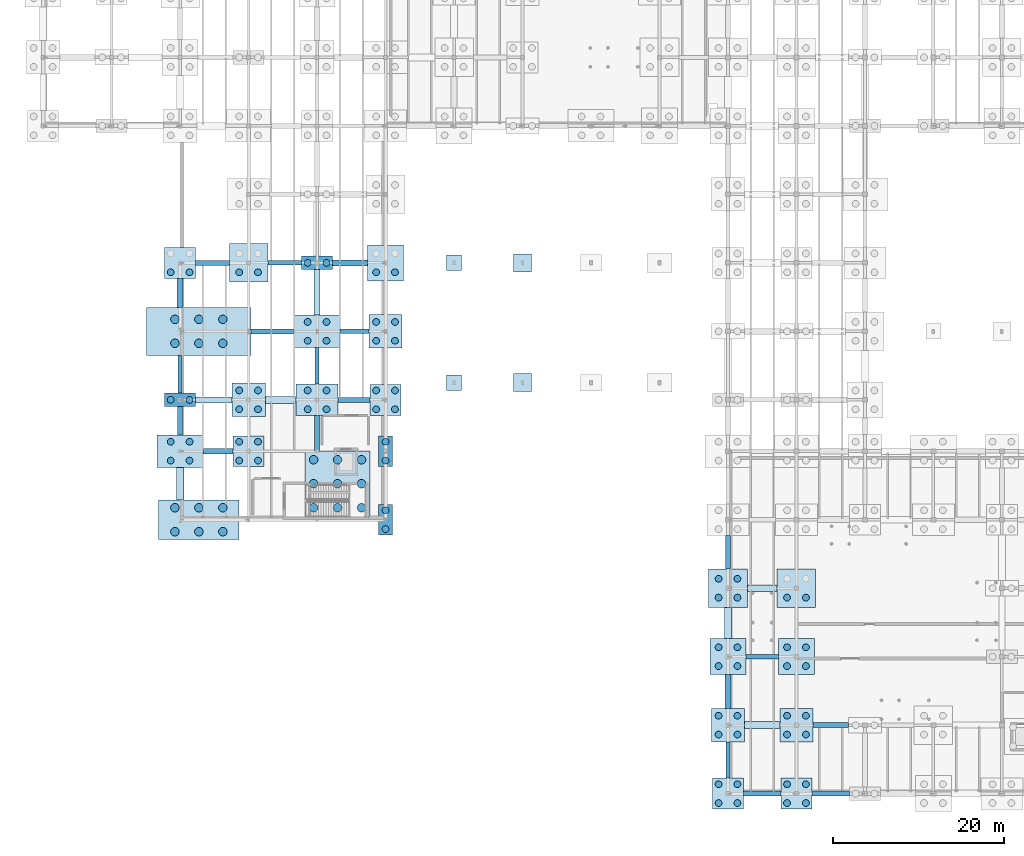
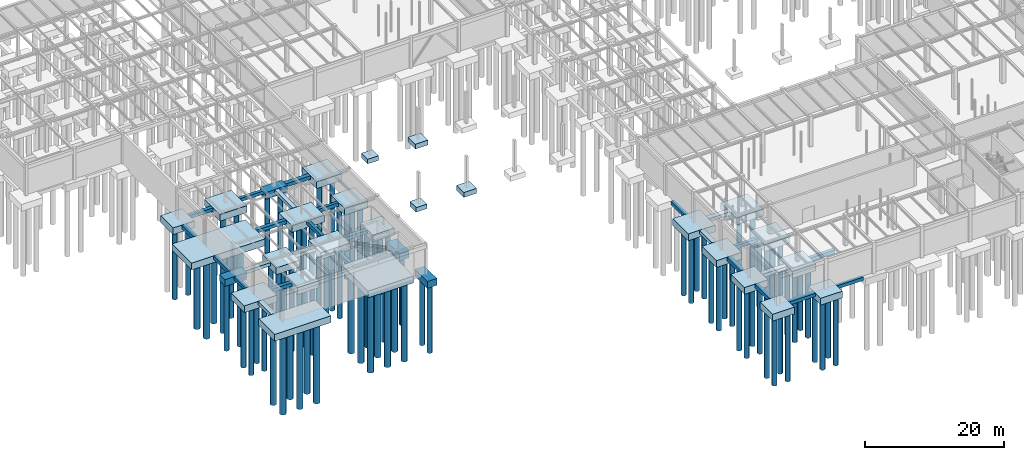
# One storey, part 1 of 71: 93 piles, 55 footings.
"""IFC4 building model written with IfcOpenShell, lengths in metres."""

from ifc_helpers import new_model, si_unit, direction, frame, origin, origin_2d, place, context, subcontext, project, spatial, rectangle, circle, extrude, material, material_profile, profile_set, type_object, element, save


model = new_model("IFC4")

# Units and contexts
model_context = context("Model", 3, precision=1e-05, world=origin(), true_north=direction((0.0, 1.0)))
body_context = subcontext(model_context, "Body", "Model", "MODEL_VIEW")
ifc_project = project(units=[si_unit("LENGTHUNIT", "METRE"), si_unit("AREAUNIT", "SQUARE_METRE"), si_unit("VOLUMEUNIT", "CUBIC_METRE"), si_unit("PLANEANGLEUNIT", "RADIAN"), si_unit("MASSUNIT", "GRAM", prefix="KILO")], contexts=[model_context])

# Site, building, storey
site_placement = place(None, origin())
site = spatial("IfcSite", under=ifc_project, at=site_placement, CompositionType="ELEMENT")
building_placement = place(site_placement, origin())
building = spatial("IfcBuilding", under=site, at=building_placement, Name="Sundkrona Museum", CompositionType="ELEMENT")
storey_placement = place(building_placement, frame((0.0, 0.0, -5.39990234375)))
storey = spatial("IfcBuildingStorey", under=building, at=storey_placement, Name="B1", CompositionType="ELEMENT", Elevation=-5.39990234375)

# Footings
ifc_material = material(Name="Concrete C40/50", Category="concrete")
footing_type_1 = type_object("IfcFootingType", Name="GB-500", PredefinedType="FOOTING_BEAM", material=ifc_material)
footing_1_placement = place(storey_placement, frame((92.0, 0.0, -0.7001953125), z_axis=(0.0, 0.0, 1.0), x_axis=(1.0, 0.0, 0.0)))
element("IfcFooting", 1, at=footing_1_placement, inside=storey, type_object=footing_type_1, Name="Ground Tie Beam GB-X-002", PredefinedType="FOOTING_BEAM", context=body_context, shape_type="SweptSolid", body=[
    extrude(rectangle(XDim=4.39990234375, YDim=0.5, at=origin_2d()), origin(), (0.0, 0.0, 1.0), 0.60009765625),
])
footing_2_placement = place(storey_placement, frame((84.0, 16.0, -0.7001953125), z_axis=(0.0, 0.0, 1.0), x_axis=(1.0, 0.0, 0.0)))
element("IfcFooting", 2, at=footing_2_placement, inside=storey, type_object=footing_type_1, Name="Ground Tie Beam GB-X-022", PredefinedType="FOOTING_BEAM", context=body_context, shape_type="SweptSolid", body=[
    extrude(rectangle(XDim=3.800048828125, YDim=0.5, at=origin_2d()), origin(), (0.0, 0.0, 1.0), 0.60009765625),
])
footing_3_placement = place(storey_placement, frame((36.375, 54.0, -0.7001953125), z_axis=(0.0, 0.0, 1.0), x_axis=(1.0, 0.0, 0.0)))
element("IfcFooting", 3, at=footing_3_placement, inside=storey, type_object=footing_type_1, Name="Ground Tie Beam GB-X-066", PredefinedType="FOOTING_BEAM", context=body_context, shape_type="SweptSolid", body=[
    extrude(rectangle(XDim=3.35009765625, YDim=0.5, at=origin_2d()), origin(), (0.0, 0.0, 1.0), 0.60009765625),
])
footing_4_placement = place(storey_placement, frame((28.22509765625, 62.0, -0.7001953125), z_axis=(0.0, 0.0, 1.0), x_axis=(1.0, 0.0, 0.0)))
element("IfcFooting", 4, at=footing_4_placement, inside=storey, type_object=footing_type_1, Name="Ground Tie Beam GB-X-074", PredefinedType="FOOTING_BEAM", context=body_context, shape_type="SweptSolid", body=[
    extrude(rectangle(XDim=3.949951171875, YDim=0.5, at=origin_2d()), origin(), (0.0, 0.0, 1.0), 0.60009765625),
])
footing_5_placement = place(storey_placement, frame((16.0, 49.0, -0.7001953125), z_axis=(0.0, 0.0, 1.0), x_axis=(0.0, 1.0, 0.0)))
element("IfcFooting", 5, at=footing_5_placement, inside=storey, type_object=footing_type_1, Name="Ground Tie Beam GB-Y-202", PredefinedType="FOOTING_BEAM", context=body_context, shape_type="SweptSolid", body=[
    extrude(rectangle(XDim=4.39990234375, YDim=0.5, at=origin_2d()), origin(), (0.0, 0.0, 1.0), 0.60009765625),
])
for number, where, z_axis, x_axis, name in (
    (6, (32.0, 49.97509765625, -0.7001953125), (0.0, 0.0, 1.0), (0.0, 1.0, 0.0), "Ground Tie Beam GB-Y-210"),
    (7, (80.0, 3.925048828125, -0.7001953125), (0.0, 0.0, 1.0), (0.0, 1.0, 0.0), "Ground Tie Beam GB-Y-226"),
):
    element("IfcFooting", number, at=place(storey_placement, frame(where, z_axis=z_axis, x_axis=x_axis)), inside=storey, type_object=footing_type_1, Name=name, PredefinedType="FOOTING_BEAM", context=body_context, shape_type="SweptSolid", body=[
        extrude(rectangle(XDim=4.25, YDim=0.5, at=origin_2d()), origin(), (0.0, 0.0, 1.0), 0.60009765625),
    ])
footing_type_2 = type_object("IfcFootingType", Name="GB-600", PredefinedType="FOOTING_BEAM", material=ifc_material)
footing_6_placement = place(storey_placement, frame((84.0, 0.0, -0.7001953125), z_axis=(0.0, 0.0, 1.0), x_axis=(1.0, 0.0, 0.0)))
element("IfcFooting", 8, at=footing_6_placement, inside=storey, type_object=footing_type_2, Name="Ground Tie Beam GB-X-001", PredefinedType="FOOTING_BEAM", context=body_context, shape_type="SweptSolid", body=[
    extrude(rectangle(XDim=4.39990234375, YDim=0.60009765625, at=origin_2d()), origin(), (0.0, 0.0, 1.0), 0.60009765625),
])
footing_7_placement = place(storey_placement, frame((92.0, 8.0, -0.7001953125), z_axis=(0.0, 0.0, 1.0), x_axis=(1.0, 0.0, 0.0)))
element("IfcFooting", 9, at=footing_7_placement, inside=storey, type_object=footing_type_2, Name="Ground Tie Beam GB-X-013", PredefinedType="FOOTING_BEAM", context=body_context, shape_type="SweptSolid", body=[
    extrude(rectangle(XDim=4.10009765625, YDim=0.60009765625, at=origin_2d()), origin(), (0.0, 0.0, 1.0), 0.60009765625),
])
footing_8_placement = place(storey_placement, frame((20.449951171875, 40.0, -0.7001953125), z_axis=(0.0, 0.0, 1.0), x_axis=(1.0, 0.0, 0.0)))
element("IfcFooting", 10, at=footing_8_placement, inside=storey, type_object=footing_type_2, Name="Ground Tie Beam GB-X-045", PredefinedType="FOOTING_BEAM", context=body_context, shape_type="SweptSolid", body=[
    extrude(rectangle(XDim=3.5, YDim=0.60009765625, at=origin_2d()), origin(), (0.0, 0.0, 1.0), 0.60009765625),
])
footing_9_placement = place(storey_placement, frame((36.324951171875, 46.0, -0.7001953125), z_axis=(0.0, 0.0, 1.0), x_axis=(1.0, 0.0, 0.0)))
element("IfcFooting", 11, at=footing_9_placement, inside=storey, type_object=footing_type_2, Name="Ground Tie Beam GB-X-057", PredefinedType="FOOTING_BEAM", context=body_context, shape_type="SweptSolid", body=[
    extrude(rectangle(XDim=3.75, YDim=0.60009765625, at=origin_2d()), origin(), (0.0, 0.0, 1.0), 0.60009765625),
])
footing_10_placement = place(storey_placement, frame((26.800048828125, 54.0, -0.7001953125), z_axis=(0.0, 0.0, 1.0), x_axis=(1.0, 0.0, 0.0)))
element("IfcFooting", 12, at=footing_10_placement, inside=storey, type_object=footing_type_2, Name="Ground Tie Beam GB-X-065", PredefinedType="FOOTING_BEAM", context=body_context, shape_type="SweptSolid", body=[
    extrude(rectangle(XDim=5.0, YDim=0.60009765625, at=origin_2d()), origin(), (0.0, 0.0, 1.0), 0.60009765625),
])
footing_11_placement = place(storey_placement, frame((19.77490234375, 62.0, -0.7001953125), z_axis=(0.0, 0.0, 1.0), x_axis=(1.0, 0.0, 0.0)))
element("IfcFooting", 13, at=footing_11_placement, inside=storey, type_object=footing_type_2, Name="Ground Tie Beam GB-X-073", PredefinedType="FOOTING_BEAM", context=body_context, shape_type="SweptSolid", body=[
    extrude(rectangle(XDim=3.949951171875, YDim=0.60009765625, at=origin_2d()), origin(), (0.0, 0.0, 1.0), 0.60009765625),
])
footing_12_placement = place(storey_placement, frame((16.0, 43.550048828125, -0.7001953125), z_axis=(0.0, 0.0, 1.0), x_axis=(0.0, 1.0, 0.0)))
element("IfcFooting", 14, at=footing_12_placement, inside=storey, type_object=footing_type_2, Name="Ground Tie Beam GB-Y-201", PredefinedType="FOOTING_BEAM", context=body_context, shape_type="SweptSolid", body=[
    extrude(rectangle(XDim=3.300048828125, YDim=0.60009765625, at=origin_2d()), origin(), (0.0, 0.0, 1.0), 0.60009765625),
])
footing_13_placement = place(storey_placement, frame((32.0, 42.074951171875, -0.7001953125), z_axis=(0.0, 0.0, 1.0), x_axis=(0.0, 1.0, 0.0)))
element("IfcFooting", 15, at=footing_13_placement, inside=storey, type_object=footing_type_2, Name="Ground Tie Beam GB-Y-209", PredefinedType="FOOTING_BEAM", context=body_context, shape_type="SweptSolid", body=[
    extrude(rectangle(XDim=4.14990234375, YDim=0.60009765625, at=origin_2d()), origin(), (0.0, 0.0, 1.0), 0.60009765625),
])
footing_14_placement = place(storey_placement, frame((80.0, 28.199951171875, -0.7001953125), z_axis=(0.0, 0.0, 1.0), x_axis=(0.0, 1.0, 0.0)))
element("IfcFooting", 16, at=footing_14_placement, inside=storey, type_object=footing_type_2, Name="Ground Tie Beam GB-Y-229", PredefinedType="FOOTING_BEAM", context=body_context, shape_type="SweptSolid", body=[
    extrude(rectangle(XDim=3.89990234375, YDim=0.60009765625, at=origin_2d()), origin(), (0.0, 0.0, 1.0), 0.60009765625),
])
footing_type_3 = type_object("IfcFootingType", Name="GB-700", PredefinedType="FOOTING_BEAM", material=ifc_material)
footing_15_placement = place(storey_placement, frame((19.925048828125, 46.0, -0.7001953125), z_axis=(0.0, 0.0, 1.0), x_axis=(1.0, 0.0, 0.0)))
element("IfcFooting", 17, at=footing_15_placement, inside=storey, type_object=footing_type_3, Name="Ground Tie Beam GB-X-055", PredefinedType="FOOTING_BEAM", context=body_context, shape_type="SweptSolid", body=[
    extrude(rectangle(XDim=4.25, YDim=0.699951171875, at=origin_2d()), origin(), (0.0, 0.0, 1.0), 0.60009765625),
])
footing_16_placement = place(storey_placement, frame((35.85009765625, 62.0, -0.7001953125), z_axis=(0.0, 0.0, 1.0), x_axis=(1.0, 0.0, 0.0)))
element("IfcFooting", 18, at=footing_16_placement, inside=storey, type_object=footing_type_3, Name="Ground Tie Beam GB-X-075", PredefinedType="FOOTING_BEAM", context=body_context, shape_type="SweptSolid", body=[
    extrude(rectangle(XDim=4.10009765625, YDim=0.699951171875, at=origin_2d()), origin(), (0.0, 0.0, 1.0), 0.60009765625),
])
footing_17_placement = place(storey_placement, frame((16.0, 58.5, -0.7001953125), z_axis=(0.0, 0.0, 1.0), x_axis=(0.0, 1.0, 0.0)))
element("IfcFooting", 19, at=footing_17_placement, inside=storey, type_object=footing_type_3, Name="Ground Tie Beam GB-Y-203", PredefinedType="FOOTING_BEAM", context=body_context, shape_type="SweptSolid", body=[
    extrude(rectangle(XDim=3.39990234375, YDim=0.699951171875, at=origin_2d()), origin(), (0.0, 0.0, 1.0), 0.60009765625),
])
footing_18_placement = place(storey_placement, frame((32.0, 58.550048828125, -0.7001953125), z_axis=(0.0, 0.0, 1.0), x_axis=(0.0, 1.0, 0.0)))
element("IfcFooting", 20, at=footing_18_placement, inside=storey, type_object=footing_type_3, Name="Ground Tie Beam GB-Y-211", PredefinedType="FOOTING_BEAM", context=body_context, shape_type="SweptSolid", body=[
    extrude(rectangle(XDim=5.300048828125, YDim=0.699951171875, at=origin_2d()), origin(), (0.0, 0.0, 1.0), 0.60009765625),
])
footing_19_placement = place(storey_placement, frame((80.0, 11.925048828125, -0.7001953125), z_axis=(0.0, 0.0, 1.0), x_axis=(0.0, 1.0, 0.0)))
element("IfcFooting", 21, at=footing_19_placement, inside=storey, type_object=footing_type_3, Name="Ground Tie Beam GB-Y-227", PredefinedType="FOOTING_BEAM", context=body_context, shape_type="SweptSolid", body=[
    extrude(rectangle(XDim=3.949951171875, YDim=0.699951171875, at=origin_2d()), origin(), (0.0, 0.0, 1.0), 0.60009765625),
])
footing_type_4 = type_object("IfcFootingType", Name="GB-800", PredefinedType="FOOTING_BEAM", material=ifc_material)
footing_20_placement = place(storey_placement, frame((84.0, 8.0, -0.7001953125), z_axis=(0.0, 0.0, 1.0), x_axis=(1.0, 0.0, 0.0)))
element("IfcFooting", 22, at=footing_20_placement, inside=storey, type_object=footing_type_4, Name="Ground Tie Beam GB-X-012", PredefinedType="FOOTING_BEAM", context=body_context, shape_type="SweptSolid", body=[
    extrude(rectangle(XDim=4.10009765625, YDim=0.800048828125, at=origin_2d()), origin(), (0.0, 0.0, 1.0), 0.60009765625),
])
footing_21_placement = place(storey_placement, frame((84.0, 24.0, -0.7001953125), z_axis=(0.0, 0.0, 1.0), x_axis=(1.0, 0.0, 0.0)))
element("IfcFooting", 23, at=footing_21_placement, inside=storey, type_object=footing_type_4, Name="Ground Tie Beam GB-X-028", PredefinedType="FOOTING_BEAM", context=body_context, shape_type="SweptSolid", body=[
    extrude(rectangle(XDim=3.5, YDim=0.800048828125, at=origin_2d()), origin(), (0.0, 0.0, 1.0), 0.60009765625),
])
footing_22_placement = place(storey_placement, frame((27.75, 46.0, -0.7001953125), z_axis=(0.0, 0.0, 1.0), x_axis=(1.0, 0.0, 0.0)))
element("IfcFooting", 24, at=footing_22_placement, inside=storey, type_object=footing_type_4, Name="Ground Tie Beam GB-X-056", PredefinedType="FOOTING_BEAM", context=body_context, shape_type="SweptSolid", body=[
    extrude(rectangle(XDim=3.60009765625, YDim=0.800048828125, at=origin_2d()), origin(), (0.0, 0.0, 1.0), 0.60009765625),
])
footing_23_placement = place(storey_placement, frame((16.0, 36.199951171875, -0.7001953125), z_axis=(0.0, 0.0, 1.0), x_axis=(0.0, 1.0, 0.0)))
element("IfcFooting", 25, at=footing_23_placement, inside=storey, type_object=footing_type_4, Name="Ground Tie Beam GB-Y-200", PredefinedType="FOOTING_BEAM", context=body_context, shape_type="SweptSolid", body=[
    extrude(rectangle(XDim=3.800048828125, YDim=0.800048828125, at=origin_2d()), origin(), (0.0, 0.0, 1.0), 0.60009765625),
])
footing_24_placement = place(storey_placement, frame((80.0, 19.925048828125, -0.7001953125), z_axis=(0.0, 0.0, 1.0), x_axis=(0.0, 1.0, 0.0)))
element("IfcFooting", 26, at=footing_24_placement, inside=storey, type_object=footing_type_4, Name="Ground Tie Beam GB-Y-228", PredefinedType="FOOTING_BEAM", context=body_context, shape_type="SweptSolid", body=[
    extrude(rectangle(XDim=3.64990234375, YDim=0.800048828125, at=origin_2d()), origin(), (0.0, 0.0, 1.0), 0.60009765625),
])

# Piles
ifc_material_profile_1 = material_profile(ifc_material, circle(Radius=0.5, at=origin_2d()), Name="PILE D1000")
ifc_profile_set_1 = profile_set([ifc_material_profile_1], Name="Concrete C40/50")
pile_type_1 = type_object("IfcPileType", Name="P-1000", PredefinedType="BORED", material=ifc_profile_set_1)
for number, where, z_axis, x_axis, name in (
    (27, (31.60009765625, 33.39990234375, -1.150146484375), (0.0, 0.0, -1.0), (1.0, 0.0, 0.0), "Bored Pile FC-CORE4A-P01"),
    (28, (34.39990234375, 33.39990234375, -1.150146484375), (0.0, 0.0, -1.0), (1.0, 0.0, 0.0), "Bored Pile FC-CORE4A-P02"),
    (29, (37.199951171875, 33.39990234375, -1.150146484375), (0.0, 0.0, -1.0), (1.0, 0.0, 0.0), "Bored Pile FC-CORE4A-P03"),
    (30, (31.60009765625, 36.199951171875, -1.150146484375), (0.0, 0.0, -1.0), (1.0, 0.0, 0.0), "Bored Pile FC-CORE4A-P04"),
    (31, (34.39990234375, 36.199951171875, -1.150146484375), (0.0, 0.0, -1.0), (1.0, 0.0, 0.0), "Bored Pile FC-CORE4A-P05"),
    (32, (37.199951171875, 36.199951171875, -1.150146484375), (0.0, 0.0, -1.0), (1.0, 0.0, 0.0), "Bored Pile FC-CORE4A-P06"),
    (33, (31.60009765625, 39.0, -1.150146484375), (0.0, 0.0, -1.0), (1.0, 0.0, 0.0), "Bored Pile FC-CORE4A-P07"),
    (34, (34.39990234375, 39.0, -1.150146484375), (0.0, 0.0, -1.0), (1.0, 0.0, 0.0), "Bored Pile FC-CORE4A-P08"),
    (35, (37.199951171875, 39.0, -1.150146484375), (0.0, 0.0, -1.0), (1.0, 0.0, 0.0), "Bored Pile FC-CORE4A-P09"),
    (36, (15.39990234375, 30.60009765625, -1.150146484375), (0.0, 0.0, -1.0), (1.0, 0.0, 0.0), "Bored Pile FC-TR-S-P01"),
    (37, (18.199951171875, 30.60009765625, -1.150146484375), (0.0, 0.0, -1.0), (1.0, 0.0, 0.0), "Bored Pile FC-TR-S-P02"),
    (38, (21.0, 30.60009765625, -1.150146484375), (0.0, 0.0, -1.0), (1.0, 0.0, 0.0), "Bored Pile FC-TR-S-P03"),
    (39, (15.39990234375, 33.39990234375, -1.150146484375), (0.0, 0.0, -1.0), (1.0, 0.0, 0.0), "Bored Pile FC-TR-S-P04"),
    (40, (18.199951171875, 33.39990234375, -1.150146484375), (0.0, 0.0, -1.0), (1.0, 0.0, 0.0), "Bored Pile FC-TR-S-P05"),
    (41, (21.0, 33.39990234375, -1.150146484375), (0.0, 0.0, -1.0), (1.0, 0.0, 0.0), "Bored Pile FC-TR-S-P06"),
    (42, (15.39990234375, 52.60009765625, -1.150146484375), (0.0, 0.0, -1.0), (1.0, 0.0, 0.0), "Bored Pile FC-TR-N-P01"),
    (43, (18.199951171875, 52.60009765625, -1.150146484375), (0.0, 0.0, -1.0), (1.0, 0.0, 0.0), "Bored Pile FC-TR-N-P02"),
    (44, (21.0, 52.60009765625, -1.150146484375), (0.0, 0.0, -1.0), (1.0, 0.0, 0.0), "Bored Pile FC-TR-N-P03"),
    (45, (15.39990234375, 55.39990234375, -1.150146484375), (0.0, 0.0, -1.0), (1.0, 0.0, 0.0), "Bored Pile FC-TR-N-P04"),
    (46, (18.199951171875, 55.39990234375, -1.150146484375), (0.0, 0.0, -1.0), (1.0, 0.0, 0.0), "Bored Pile FC-TR-N-P05"),
    (47, (21.0, 55.39990234375, -1.150146484375), (0.0, 0.0, -1.0), (1.0, 0.0, 0.0), "Bored Pile FC-TR-N-P06"),
):
    element("IfcPile", number, at=place(storey_placement, frame(where, z_axis=z_axis, x_axis=x_axis)), inside=storey, type_object=pile_type_1, Name=name, PredefinedType="BORED", context=body_context, shape_type="SweptSolid", body=[
        extrude(circle(Radius=0.5, at=origin_2d()), origin(), (0.0, 0.0, 1.0), 14.0),
    ])
ifc_material_profile_2 = material_profile(ifc_material, circle(Radius=0.39990234375, at=origin_2d()), Name="PILE D800")
ifc_profile_set_2 = profile_set([ifc_material_profile_2], Name="Concrete C40/50")
pile_type_2 = type_object("IfcPileType", Name="P-800", PredefinedType="BORED", material=ifc_profile_set_2)
for number, where, z_axis, x_axis, name in (
    (48, (14.89990234375, 38.89990234375, -1.150146484375), (0.0, 0.0, -1.0), (1.0, 0.0, 0.0), "Bored Pile FC-F-3-P01"),
    (49, (17.10009765625, 38.89990234375, -1.150146484375), (0.0, 0.0, -1.0), (1.0, 0.0, 0.0), "Bored Pile FC-F-3-P02"),
    (50, (14.89990234375, 41.10009765625, -1.150146484375), (0.0, 0.0, -1.0), (1.0, 0.0, 0.0), "Bored Pile FC-F-3-P03"),
    (51, (17.10009765625, 41.10009765625, -1.150146484375), (0.0, 0.0, -1.0), (1.0, 0.0, 0.0), "Bored Pile FC-F-3-P04"),
    (52, (14.89990234375, 46.0, -1.150146484375), (0.0, 0.0, -1.0), (1.0, 0.0, 0.0), "Bored Pile FC-G-3-P01"),
    (53, (17.10009765625, 46.0, -1.150146484375), (0.0, 0.0, -1.0), (1.0, 0.0, 0.0), "Bored Pile FC-G-3-P02"),
    (54, (14.89990234375, 60.89990234375, -1.150146484375), (0.0, 0.0, -1.0), (1.0, 0.0, 0.0), "Bored Pile FC-J-3-P01"),
    (55, (17.10009765625, 60.89990234375, -1.150146484375), (0.0, 0.0, -1.0), (1.0, 0.0, 0.0), "Bored Pile FC-J-3-P02"),
    (56, (22.89990234375, 38.89990234375, -1.150146484375), (0.0, 0.0, -1.0), (1.0, 0.0, 0.0), "Bored Pile FC-F-4-P01"),
    (57, (25.10009765625, 38.89990234375, -1.150146484375), (0.0, 0.0, -1.0), (1.0, 0.0, 0.0), "Bored Pile FC-F-4-P02"),
    (58, (22.89990234375, 41.10009765625, -1.150146484375), (0.0, 0.0, -1.0), (1.0, 0.0, 0.0), "Bored Pile FC-F-4-P03"),
    (59, (25.10009765625, 41.10009765625, -1.150146484375), (0.0, 0.0, -1.0), (1.0, 0.0, 0.0), "Bored Pile FC-F-4-P04"),
    (60, (22.89990234375, 44.89990234375, -1.150146484375), (0.0, 0.0, -1.0), (1.0, 0.0, 0.0), "Bored Pile FC-G-4-P01"),
    (61, (25.10009765625, 44.89990234375, -1.150146484375), (0.0, 0.0, -1.0), (1.0, 0.0, 0.0), "Bored Pile FC-G-4-P02"),
    (62, (22.89990234375, 47.10009765625, -1.150146484375), (0.0, 0.0, -1.0), (1.0, 0.0, 0.0), "Bored Pile FC-G-4-P03"),
    (63, (25.10009765625, 47.10009765625, -1.150146484375), (0.0, 0.0, -1.0), (1.0, 0.0, 0.0), "Bored Pile FC-G-4-P04"),
    (64, (22.89990234375, 60.89990234375, -1.150146484375), (0.0, 0.0, -1.0), (1.0, 0.0, 0.0), "Bored Pile FC-J-4-P01"),
    (65, (25.10009765625, 60.89990234375, -1.150146484375), (0.0, 0.0, -1.0), (1.0, 0.0, 0.0), "Bored Pile FC-J-4-P02"),
    (66, (30.89990234375, 44.89990234375, -1.150146484375), (0.0, 0.0, -1.0), (1.0, 0.0, 0.0), "Bored Pile FC-G-5-P01"),
    (67, (33.10009765625, 44.89990234375, -1.150146484375), (0.0, 0.0, -1.0), (1.0, 0.0, 0.0), "Bored Pile FC-G-5-P02"),
    (68, (30.89990234375, 47.10009765625, -1.150146484375), (0.0, 0.0, -1.0), (1.0, 0.0, 0.0), "Bored Pile FC-G-5-P03"),
    (69, (33.10009765625, 47.10009765625, -1.150146484375), (0.0, 0.0, -1.0), (1.0, 0.0, 0.0), "Bored Pile FC-G-5-P04"),
    (70, (30.89990234375, 52.89990234375, -1.150146484375), (0.0, 0.0, -1.0), (1.0, 0.0, 0.0), "Bored Pile FC-H-5-P01"),
    (71, (33.10009765625, 52.89990234375, -1.150146484375), (0.0, 0.0, -1.0), (1.0, 0.0, 0.0), "Bored Pile FC-H-5-P02"),
    (72, (30.89990234375, 55.10009765625, -1.150146484375), (0.0, 0.0, -1.0), (1.0, 0.0, 0.0), "Bored Pile FC-H-5-P03"),
    (73, (33.10009765625, 55.10009765625, -1.150146484375), (0.0, 0.0, -1.0), (1.0, 0.0, 0.0), "Bored Pile FC-H-5-P04"),
    (74, (30.89990234375, 62.0, -1.150146484375), (0.0, 0.0, -1.0), (1.0, 0.0, 0.0), "Bored Pile FC-J-5-P01"),
    (75, (33.10009765625, 62.0, -1.150146484375), (0.0, 0.0, -1.0), (1.0, 0.0, 0.0), "Bored Pile FC-J-5-P02"),
    (76, (40.0, 30.89990234375, -1.150146484375), (0.0, 0.0, -1.0), (1.0, 0.0, 0.0), "Bored Pile FC-E-6-P01"),
    (77, (40.0, 33.10009765625, -1.150146484375), (0.0, 0.0, -1.0), (1.0, 0.0, 0.0), "Bored Pile FC-E-6-P02"),
    (78, (40.0, 38.89990234375, -1.150146484375), (0.0, 0.0, -1.0), (1.0, 0.0, 0.0), "Bored Pile FC-F-6-P01"),
    (79, (40.0, 41.10009765625, -1.150146484375), (0.0, 0.0, -1.0), (1.0, 0.0, 0.0), "Bored Pile FC-F-6-P02"),
    (80, (38.89990234375, 44.89990234375, -1.150146484375), (0.0, 0.0, -1.0), (1.0, 0.0, 0.0), "Bored Pile FC-G-6-P01"),
    (81, (41.10009765625, 44.89990234375, -1.150146484375), (0.0, 0.0, -1.0), (1.0, 0.0, 0.0), "Bored Pile FC-G-6-P02"),
    (82, (38.89990234375, 47.10009765625, -1.150146484375), (0.0, 0.0, -1.0), (1.0, 0.0, 0.0), "Bored Pile FC-G-6-P03"),
    (83, (41.10009765625, 47.10009765625, -1.150146484375), (0.0, 0.0, -1.0), (1.0, 0.0, 0.0), "Bored Pile FC-G-6-P04"),
    (84, (38.89990234375, 52.89990234375, -1.150146484375), (0.0, 0.0, -1.0), (1.0, 0.0, 0.0), "Bored Pile FC-H-6-P01"),
    (85, (41.10009765625, 52.89990234375, -1.150146484375), (0.0, 0.0, -1.0), (1.0, 0.0, 0.0), "Bored Pile FC-H-6-P02"),
    (86, (38.89990234375, 55.10009765625, -1.150146484375), (0.0, 0.0, -1.0), (1.0, 0.0, 0.0), "Bored Pile FC-H-6-P03"),
    (87, (41.10009765625, 55.10009765625, -1.150146484375), (0.0, 0.0, -1.0), (1.0, 0.0, 0.0), "Bored Pile FC-H-6-P04"),
    (88, (38.89990234375, 60.89990234375, -1.150146484375), (0.0, 0.0, -1.0), (1.0, 0.0, 0.0), "Bored Pile FC-J-6-P01"),
    (89, (41.10009765625, 60.89990234375, -1.150146484375), (0.0, 0.0, -1.0), (1.0, 0.0, 0.0), "Bored Pile FC-J-6-P02"),
    (90, (78.89990234375, -1.10009765625, -1.150146484375), (0.0, 0.0, -1.0), (1.0, 0.0, 0.0), "Bored Pile FC-A-11-P01"),
    (91, (81.10009765625, -1.10009765625, -1.150146484375), (0.0, 0.0, -1.0), (1.0, 0.0, 0.0), "Bored Pile FC-A-11-P02"),
    (92, (78.89990234375, 1.10009765625, -1.150146484375), (0.0, 0.0, -1.0), (1.0, 0.0, 0.0), "Bored Pile FC-A-11-P03"),
    (93, (81.10009765625, 1.10009765625, -1.150146484375), (0.0, 0.0, -1.0), (1.0, 0.0, 0.0), "Bored Pile FC-A-11-P04"),
    (94, (78.89990234375, 6.89990234375, -1.150146484375), (0.0, 0.0, -1.0), (1.0, 0.0, 0.0), "Bored Pile FC-B-11-P01"),
    (95, (81.10009765625, 6.89990234375, -1.150146484375), (0.0, 0.0, -1.0), (1.0, 0.0, 0.0), "Bored Pile FC-B-11-P02"),
    (96, (78.89990234375, 9.10009765625, -1.150146484375), (0.0, 0.0, -1.0), (1.0, 0.0, 0.0), "Bored Pile FC-B-11-P03"),
    (97, (81.10009765625, 9.10009765625, -1.150146484375), (0.0, 0.0, -1.0), (1.0, 0.0, 0.0), "Bored Pile FC-B-11-P04"),
    (98, (78.89990234375, 14.89990234375, -1.150146484375), (0.0, 0.0, -1.0), (1.0, 0.0, 0.0), "Bored Pile FC-C-11-P01"),
    (99, (81.10009765625, 14.89990234375, -1.150146484375), (0.0, 0.0, -1.0), (1.0, 0.0, 0.0), "Bored Pile FC-C-11-P02"),
    (100, (78.89990234375, 17.10009765625, -1.150146484375), (0.0, 0.0, -1.0), (1.0, 0.0, 0.0), "Bored Pile FC-C-11-P03"),
    (101, (81.10009765625, 17.10009765625, -1.150146484375), (0.0, 0.0, -1.0), (1.0, 0.0, 0.0), "Bored Pile FC-C-11-P04"),
    (102, (78.89990234375, 22.89990234375, -1.150146484375), (0.0, 0.0, -1.0), (1.0, 0.0, 0.0), "Bored Pile FC-D-11-P01"),
    (103, (81.10009765625, 22.89990234375, -1.150146484375), (0.0, 0.0, -1.0), (1.0, 0.0, 0.0), "Bored Pile FC-D-11-P02"),
    (104, (78.89990234375, 25.10009765625, -1.150146484375), (0.0, 0.0, -1.0), (1.0, 0.0, 0.0), "Bored Pile FC-D-11-P03"),
    (105, (81.10009765625, 25.10009765625, -1.150146484375), (0.0, 0.0, -1.0), (1.0, 0.0, 0.0), "Bored Pile FC-D-11-P04"),
    (106, (86.89990234375, -1.10009765625, -1.150146484375), (0.0, 0.0, -1.0), (1.0, 0.0, 0.0), "Bored Pile FC-A-12-P01"),
    (107, (89.10009765625, -1.10009765625, -1.150146484375), (0.0, 0.0, -1.0), (1.0, 0.0, 0.0), "Bored Pile FC-A-12-P02"),
    (108, (86.89990234375, 1.10009765625, -1.150146484375), (0.0, 0.0, -1.0), (1.0, 0.0, 0.0), "Bored Pile FC-A-12-P03"),
    (109, (89.10009765625, 1.10009765625, -1.150146484375), (0.0, 0.0, -1.0), (1.0, 0.0, 0.0), "Bored Pile FC-A-12-P04"),
    (110, (86.89990234375, 6.89990234375, -1.150146484375), (0.0, 0.0, -1.0), (1.0, 0.0, 0.0), "Bored Pile FC-B-12-P01"),
    (111, (89.10009765625, 6.89990234375, -1.150146484375), (0.0, 0.0, -1.0), (1.0, 0.0, 0.0), "Bored Pile FC-B-12-P02"),
    (112, (86.89990234375, 9.10009765625, -1.150146484375), (0.0, 0.0, -1.0), (1.0, 0.0, 0.0), "Bored Pile FC-B-12-P03"),
    (113, (89.10009765625, 9.10009765625, -1.150146484375), (0.0, 0.0, -1.0), (1.0, 0.0, 0.0), "Bored Pile FC-B-12-P04"),
    (114, (86.89990234375, 14.89990234375, -1.150146484375), (0.0, 0.0, -1.0), (1.0, 0.0, 0.0), "Bored Pile FC-C-12-P01"),
    (115, (89.10009765625, 14.89990234375, -1.150146484375), (0.0, 0.0, -1.0), (1.0, 0.0, 0.0), "Bored Pile FC-C-12-P02"),
    (116, (86.89990234375, 17.10009765625, -1.150146484375), (0.0, 0.0, -1.0), (1.0, 0.0, 0.0), "Bored Pile FC-C-12-P03"),
    (117, (89.10009765625, 17.10009765625, -1.150146484375), (0.0, 0.0, -1.0), (1.0, 0.0, 0.0), "Bored Pile FC-C-12-P04"),
    (118, (86.89990234375, 22.89990234375, -1.150146484375), (0.0, 0.0, -1.0), (1.0, 0.0, 0.0), "Bored Pile FC-D-12-P01"),
    (119, (89.10009765625, 22.89990234375, -1.150146484375), (0.0, 0.0, -1.0), (1.0, 0.0, 0.0), "Bored Pile FC-D-12-P02"),
):
    element("IfcPile", number, at=place(storey_placement, frame(where, z_axis=z_axis, x_axis=x_axis)), inside=storey, type_object=pile_type_2, Name=name, PredefinedType="BORED", context=body_context, shape_type="SweptSolid", body=[
        extrude(circle(Radius=0.39990234375, at=origin_2d()), origin(), (0.0, 0.0, 1.0), 12.0),
    ])

# Footings
footing_type_5 = type_object("IfcFootingType", Name="PC-2A", PredefinedType="PILE_CAP", material=ifc_material)
for number, where, z_axis, x_axis, name in (
    (120, (16.0, 46.0, -1.30029296875), (0.0, 0.0, 1.0), (1.0, 0.0, 0.0), "Column Pile Cap G/3"),
    (121, (32.0, 62.0, -1.30029296875), (0.0, 0.0, 1.0), (1.0, 0.0, 0.0), "Column Pile Cap J/5"),
    (122, (40.0, 32.0, -1.30029296875), (0.0, 0.0, 1.0), (0.0, 1.0, 0.0), "Column Pile Cap E/6"),
    (123, (40.0, 40.0, -1.30029296875), (0.0, 0.0, 1.0), (0.0, 1.0, 0.0), "Column Pile Cap F/6"),
):
    element("IfcFooting", number, at=place(storey_placement, frame(where, z_axis=z_axis, x_axis=x_axis)), inside=storey, type_object=footing_type_5, Name=name, PredefinedType="PILE_CAP", context=body_context, shape_type="SweptSolid", body=[
        extrude(rectangle(XDim=3.60009765625, YDim=1.60009765625, at=origin_2d()), origin(), (0.0, 0.0, 1.0), 1.199951171875),
    ])
footing_type_6 = type_object("IfcFootingType", Name="PC-4A", PredefinedType="PILE_CAP", material=ifc_material)
for number, where, z_axis, x_axis, name in (
    (124, (16.0, 62.0, -1.30029296875), (0.0, 0.0, 1.0), (1.0, 0.0, 0.0), "Column Pile Cap J/3"),
    (125, (24.0, 40.0, -1.30029296875), (0.0, 0.0, 1.0), (1.0, 0.0, 0.0), "Column Pile Cap F/4"),
    (126, (40.0, 46.0, -1.30029296875), (0.0, 0.0, 1.0), (1.0, 0.0, 0.0), "Column Pile Cap G/6"),
    (127, (80.0, 0.0, -1.30029296875), (0.0, 0.0, 1.0), (1.0, 0.0, 0.0), "Column Pile Cap A/11"),
    (128, (88.0, 0.0, -1.30029296875), (0.0, 0.0, 1.0), (1.0, 0.0, 0.0), "Column Pile Cap A/12"),
):
    element("IfcFooting", number, at=place(storey_placement, frame(where, z_axis=z_axis, x_axis=x_axis)), inside=storey, type_object=footing_type_6, Name=name, PredefinedType="PILE_CAP", context=body_context, shape_type="SweptSolid", body=[
        extrude(rectangle(XDim=3.60009765625, YDim=3.60009765625, at=origin_2d()), origin(), (0.0, 0.0, 1.0), 1.199951171875),
    ])
footing_type_7 = type_object("IfcFootingType", Name="PC-4B", PredefinedType="PILE_CAP", material=ifc_material)
for number, where, z_axis, x_axis, name in (
    (129, (24.0, 46.0, -1.30029296875), (0.0, 0.0, 1.0), (1.0, 0.0, 0.0), "Column Pile Cap G/4"),
    (130, (40.0, 54.0, -1.30029296875), (0.0, 0.0, 1.0), (1.0, 0.0, 0.0), "Column Pile Cap H/6"),
    (131, (80.0, 8.0, -1.30029296875), (0.0, 0.0, 1.0), (1.0, 0.0, 0.0), "Column Pile Cap B/11"),
    (132, (88.0, 8.0, -1.30029296875), (0.0, 0.0, 1.0), (1.0, 0.0, 0.0), "Column Pile Cap B/12"),
):
    element("IfcFooting", number, at=place(storey_placement, frame(where, z_axis=z_axis, x_axis=x_axis)), inside=storey, type_object=footing_type_7, Name=name, PredefinedType="PILE_CAP", context=body_context, shape_type="SweptSolid", body=[
        extrude(rectangle(XDim=3.89990234375, YDim=3.89990234375, at=origin_2d()), origin(), (0.0, 0.0, 1.0), 1.199951171875),
    ])
footing_type_8 = type_object("IfcFootingType", Name="PC-4C", PredefinedType="PILE_CAP", material=ifc_material)
for number, where, z_axis, x_axis, name in (
    (133, (40.0, 62.0, -1.30029296875), (0.0, 0.0, 1.0), (1.0, 0.0, 0.0), "Column Pile Cap J/6"),
    (134, (80.0, 16.0, -1.30029296875), (0.0, 0.0, 1.0), (1.0, 0.0, 0.0), "Column Pile Cap C/11"),
    (135, (88.0, 16.0, -1.30029296875), (0.0, 0.0, 1.0), (1.0, 0.0, 0.0), "Column Pile Cap C/12"),
):
    element("IfcFooting", number, at=place(storey_placement, frame(where, z_axis=z_axis, x_axis=x_axis)), inside=storey, type_object=footing_type_8, Name=name, PredefinedType="PILE_CAP", context=body_context, shape_type="SweptSolid", body=[
        extrude(rectangle(XDim=4.199951171875, YDim=4.199951171875, at=origin_2d()), origin(), (0.0, 0.0, 1.0), 1.199951171875),
    ])
footing_type_9 = type_object("IfcFootingType", Name="PC-4D", PredefinedType="PILE_CAP", material=ifc_material)
for number, where, z_axis, x_axis, name in (
    (136, (24.0, 62.0, -1.30029296875), (0.0, 0.0, 1.0), (1.0, 0.0, 0.0), "Column Pile Cap J/4"),
    (137, (80.0, 24.0, -1.30029296875), (0.0, 0.0, 1.0), (1.0, 0.0, 0.0), "Column Pile Cap D/11"),
    (138, (88.0, 24.0, -1.30029296875), (0.0, 0.0, 1.0), (1.0, 0.0, 0.0), "Column Pile Cap D/12"),
):
    element("IfcFooting", number, at=place(storey_placement, frame(where, z_axis=z_axis, x_axis=x_axis)), inside=storey, type_object=footing_type_9, Name=name, PredefinedType="PILE_CAP", context=body_context, shape_type="SweptSolid", body=[
        extrude(rectangle(XDim=4.5, YDim=4.5, at=origin_2d()), origin(), (0.0, 0.0, 1.0), 1.199951171875),
    ])
footing_type_10 = type_object("IfcFootingType", Name="PC-4E", PredefinedType="PILE_CAP", material=ifc_material)
footing_25_placement = place(storey_placement, frame((32.0, 46.0, -1.30029296875), z_axis=(0.0, 0.0, 1.0), x_axis=(1.0, 0.0, 0.0)))
element("IfcFooting", 139, at=footing_25_placement, inside=storey, type_object=footing_type_10, Name="Column Pile Cap G/5", PredefinedType="PILE_CAP", context=body_context, shape_type="SweptSolid", body=[
    extrude(rectangle(XDim=4.89990234375, YDim=3.699951171875, at=origin_2d()), origin(), (0.0, 0.0, 1.0), 1.199951171875),
])
footing_type_11 = type_object("IfcFootingType", Name="PC-4F", PredefinedType="PILE_CAP", material=ifc_material)
for number, where, z_axis, x_axis, name in (
    (140, (16.0, 40.0, -1.30029296875), (0.0, 0.0, 1.0), (1.0, 0.0, 0.0), "Column Pile Cap F/3"),
    (141, (32.0, 54.0, -1.30029296875), (0.0, 0.0, 1.0), (1.0, 0.0, 0.0), "Column Pile Cap H/5"),
):
    element("IfcFooting", number, at=place(storey_placement, frame(where, z_axis=z_axis, x_axis=x_axis)), inside=storey, type_object=footing_type_11, Name=name, PredefinedType="PILE_CAP", context=body_context, shape_type="SweptSolid", body=[
        extrude(rectangle(XDim=5.39990234375, YDim=3.800048828125, at=origin_2d()), origin(), (0.0, 0.0, 1.0), 1.199951171875),
    ])
footing_type_12 = type_object("IfcFootingType", Name="PC-9A", PredefinedType="PILE_CAP", material=ifc_material)
footing_26_placement = place(storey_placement, frame((34.39990234375, 36.199951171875, -1.30029296875), z_axis=(0.0, 0.0, 1.0), x_axis=(1.0, 0.0, 0.0)))
element("IfcFooting", 142, at=footing_26_placement, inside=storey, type_object=footing_type_12, Name="Core 4 ST-4 and PL-4 Combined Pile Cap", PredefinedType="PILE_CAP", context=body_context, shape_type="SweptSolid", body=[
    extrude(rectangle(XDim=7.60009765625, YDim=7.60009765625, at=origin_2d()), origin(), (0.0, 0.0, 1.0), 1.199951171875),
])
footing_type_13 = type_object("IfcFootingType", Name="PC-CMB-1", PredefinedType="PILE_CAP", material=ifc_material)
footing_27_placement = place(storey_placement, frame((18.199951171875, 32.0, -1.30029296875), z_axis=(0.0, 0.0, 1.0), x_axis=(1.0, 0.0, 0.0)))
element("IfcFooting", 143, at=footing_27_placement, inside=storey, type_object=footing_type_13, Name="South Transfer Truss Root Cap", PredefinedType="PILE_CAP", context=body_context, shape_type="SweptSolid", body=[
    extrude(rectangle(XDim=9.39990234375, YDim=4.60009765625, at=origin_2d()), origin(), (0.0, 0.0, 1.0), 1.199951171875),
])
footing_type_14 = type_object("IfcFootingType", Name="PC-CMB-3", PredefinedType="PILE_CAP", material=ifc_material)
footing_28_placement = place(storey_placement, frame((18.199951171875, 54.0, -1.30029296875), z_axis=(0.0, 0.0, 1.0), x_axis=(1.0, 0.0, 0.0)))
element("IfcFooting", 144, at=footing_28_placement, inside=storey, type_object=footing_type_14, Name="North Transfer Truss Root Cap", PredefinedType="PILE_CAP", context=body_context, shape_type="SweptSolid", body=[
    extrude(rectangle(XDim=12.199951171875, YDim=5.60009765625, at=origin_2d()), origin(), (0.0, 0.0, 1.0), 1.199951171875),
])
footing_type_15 = type_object("IfcFootingType", Name="PF-180", PredefinedType="PAD_FOOTING", material=ifc_material)
for number, where, z_axis, x_axis, name in (
    (145, (48.0, 48.0, -0.89990234375), (0.0, 0.0, 1.0), (1.0, 0.0, 0.0), "Courtyard Arcade Pad Footing PF-CL-01"),
    (146, (48.0, 62.0, -0.89990234375), (0.0, 0.0, 1.0), (1.0, 0.0, 0.0), "Courtyard Arcade Pad Footing PF-CL-05"),
):
    element("IfcFooting", number, at=place(storey_placement, frame(where, z_axis=z_axis, x_axis=x_axis)), inside=storey, type_object=footing_type_15, Name=name, PredefinedType="PAD_FOOTING", context=body_context, shape_type="SweptSolid", body=[
        extrude(rectangle(XDim=1.800048828125, YDim=1.800048828125, at=origin_2d()), origin(), (0.0, 0.0, 1.0), 0.800048828125),
    ])
footing_type_16 = type_object("IfcFootingType", Name="PF-210", PredefinedType="PAD_FOOTING", material=ifc_material)
for number, where, z_axis, x_axis, name in (
    (147, (56.0, 48.0, -0.9501953125), (0.0, 0.0, 1.0), (1.0, 0.0, 0.0), "Courtyard Arcade Pad Footing PF-CL-02"),
    (148, (56.0, 62.0, -0.9501953125), (0.0, 0.0, 1.0), (1.0, 0.0, 0.0), "Courtyard Arcade Pad Footing PF-CL-06"),
):
    element("IfcFooting", number, at=place(storey_placement, frame(where, z_axis=z_axis, x_axis=x_axis)), inside=storey, type_object=footing_type_16, Name=name, PredefinedType="PAD_FOOTING", context=body_context, shape_type="SweptSolid", body=[
        extrude(rectangle(XDim=2.10009765625, YDim=2.10009765625, at=origin_2d()), origin(), (0.0, 0.0, 1.0), 0.85009765625),
    ])

save(model, "model.ifc")
